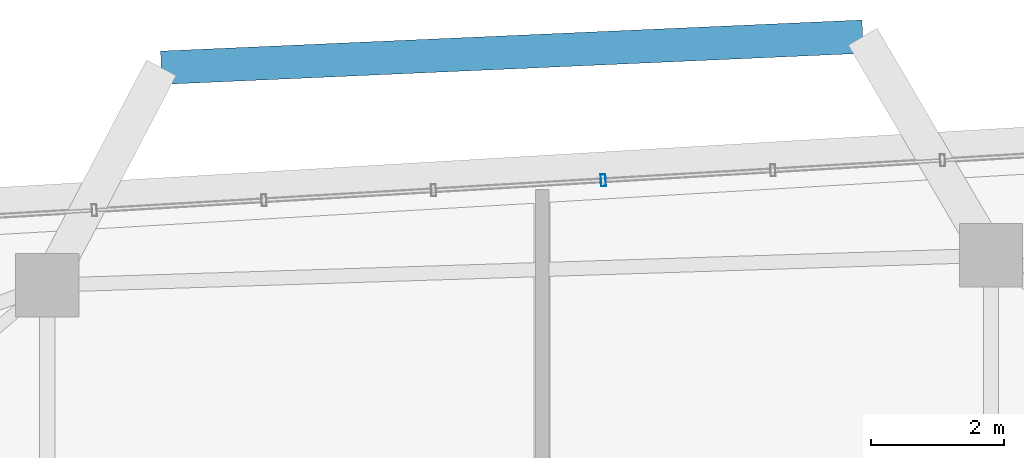
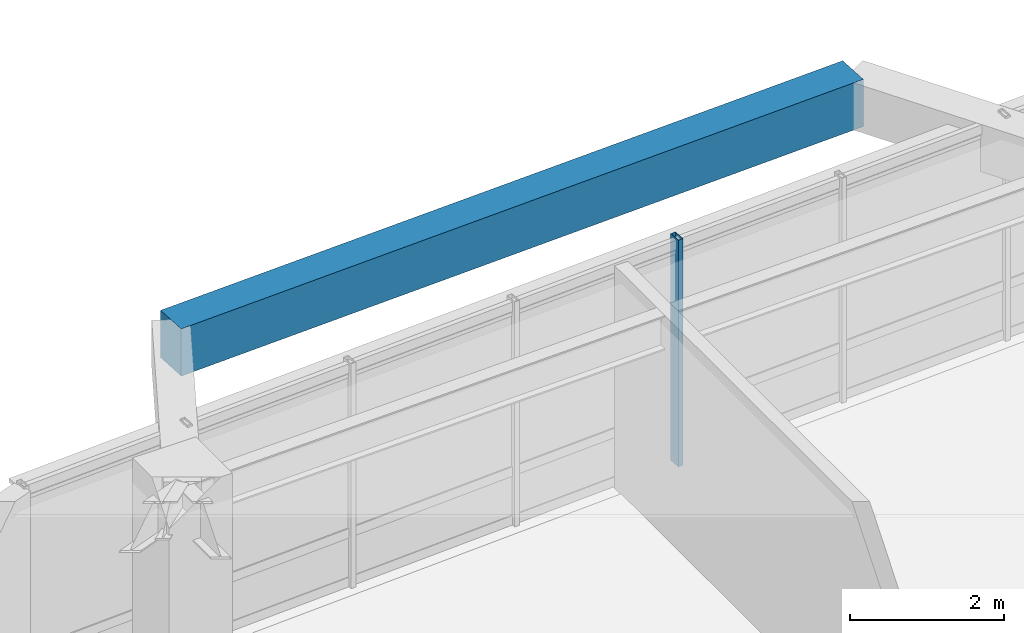
# One storey, part 4 of 15: 1 beam, 1 member, 1 element without a shape of its own.
"""IFC4 building model written with IfcOpenShell, lengths in metres."""

from ifc_helpers import new_model, si_unit, direction, frame, origin, origin_2d, place, context, subcontext, project, spatial, rectangle, hollow_rectangle, extrude, material, material_profile, profile_set, type_object, element, aggregate, save


model = new_model("IFC4")

# Units and contexts
model_context = context("Model", 3, precision=1e-05, world=origin(), true_north=direction((0.0, 1.0)))
body_context = subcontext(model_context, "Body", "Model", "MODEL_VIEW")
ifc_project = project(units=[si_unit("LENGTHUNIT", "METRE"), si_unit("AREAUNIT", "SQUARE_METRE"), si_unit("VOLUMEUNIT", "CUBIC_METRE"), si_unit("PLANEANGLEUNIT", "RADIAN"), si_unit("MASSUNIT", "GRAM", prefix="KILO")], contexts=[model_context])

# Site, building, storey
site_placement = place(None, origin())
site = spatial("IfcSite", under=ifc_project, at=site_placement, CompositionType="ELEMENT")
building_placement = place(site_placement, origin())
building = spatial("IfcBuilding", under=site, at=building_placement, Name="Zulverin Broadcast Headquarters", CompositionType="ELEMENT")
storey_placement = place(building_placement, frame((0.0, 0.0, 193.39990234375)))
storey = spatial("IfcBuildingStorey", under=building, at=storey_placement, Name="L49", CompositionType="ELEMENT", Elevation=193.39990234375)

# Beam
ifc_material_1 = material(Name="Concrete C40/50", Category="concrete")
ifc_material_profile_1 = material_profile(ifc_material_1, rectangle(XDim=0.5, YDim=0.75, at=origin_2d()), Name="Concrete C40/50", Category="concrete")
ifc_profile_set_1 = profile_set([ifc_material_profile_1], Name="Concrete C40/50")
beam_type = type_object("IfcBeamType", Name="BM-RC-500x750", PredefinedType="BEAM", material=ifc_profile_set_1)
beam_placement = place(storey_placement, frame((43.1044921875, 50.001220703125, 3.1650390625), z_axis=(-0.999018054728, -0.044304924411, 0.0), x_axis=(0.044304924411, -0.999018054728, 0.0)))
element("IfcBeam", 1, at=beam_placement, inside=storey, type_object=beam_type, Name="L50 Balcony Outer Edge Trimmer Beam BAL_N", PredefinedType="BEAM", context=body_context, shape_type="SweptSolid", body=[
    extrude(rectangle(XDim=0.5, YDim=0.75, at=origin_2d()), origin(), (0.0, 0.0, 1.0), 10.52490234375),
])

# Curtain wall, member
ifc_material_2 = material(Name="Waist wind-pressure unitised curtain wall", Category="aluminium")
curtain_wall_type = type_object("IfcCurtainWallType", Name="CW-TWR-WST", PredefinedType="USERDEFINED", material=ifc_material_2)
curtain_wall_placement = place(storey_placement, origin())
curtain_wall = element("IfcCurtainWall", 2, at=curtain_wall_placement, inside=storey, type_object=curtain_wall_type, Name="L49 Unitised Curtain Wall CW-L49-E5", ObjectType="UNITISED CURTAIN WALL", PredefinedType="USERDEFINED")
ifc_material_3 = material(Name="Anodized pale-metal aluminium alloy 6063-T6", Category="aluminium")
ifc_material_profile_2 = material_profile(ifc_material_3, hollow_rectangle(XDim=0.074951171875, YDim=0.179931640625, WallThickness=0.0048828125, at=origin_2d()), Name="Anodized pale-metal aluminium alloy 6063-T6", Category="aluminium")
ifc_profile_set_2 = profile_set([ifc_material_profile_2], Name="Anodized pale-metal aluminium alloy 6063-T6")
member_type = type_object("IfcMemberType", Name="CW-MUL-180", PredefinedType="MULLION", material=ifc_profile_set_2)
member_placement = place(storey_placement, frame((39.215576171875, 47.847900390625, -0.02978515625), z_axis=(0.0, 0.0, 1.0), x_axis=(-0.998274332859, -0.058722707319, 0.0)))
member = element("IfcMember", 3, at=member_placement, type_object=member_type, Name="CW-L49-E5 Mullion 03", PredefinedType="MULLION", context=body_context, shape_type="SweptSolid", body=[
    extrude(hollow_rectangle(XDim=0.074951171875, YDim=0.179931640625, WallThickness=0.0048828125, at=origin_2d()), origin(), (0.0, 0.0, 1.0), 3.599853515625),
])
aggregate(curtain_wall, [member])

save(model, "model.ifc")
